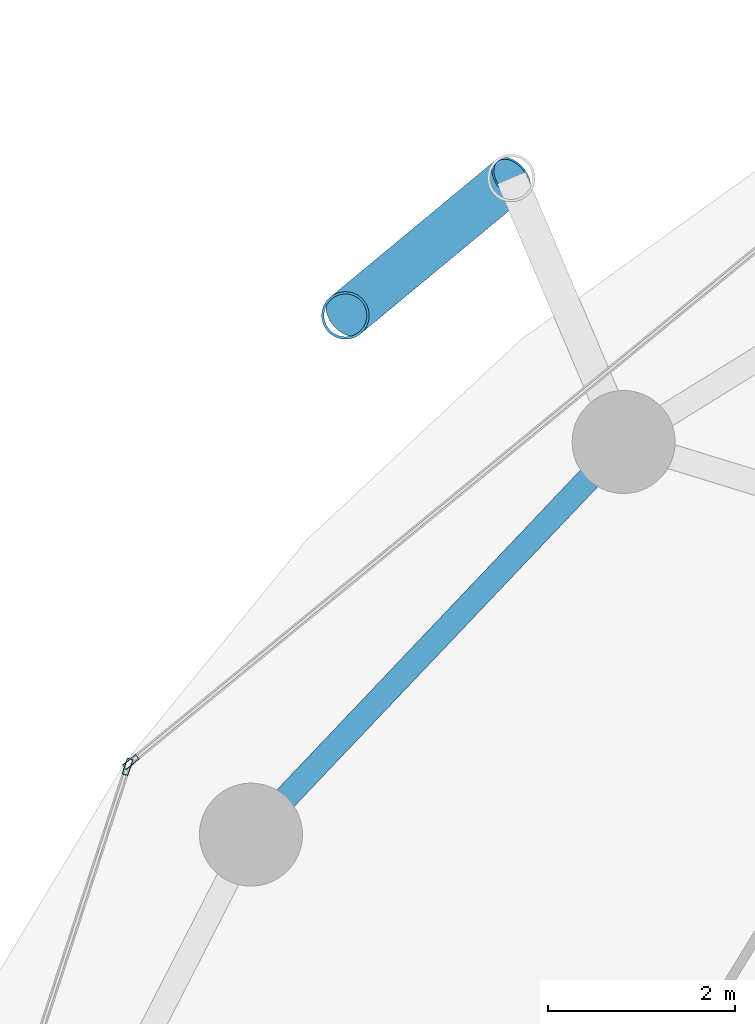
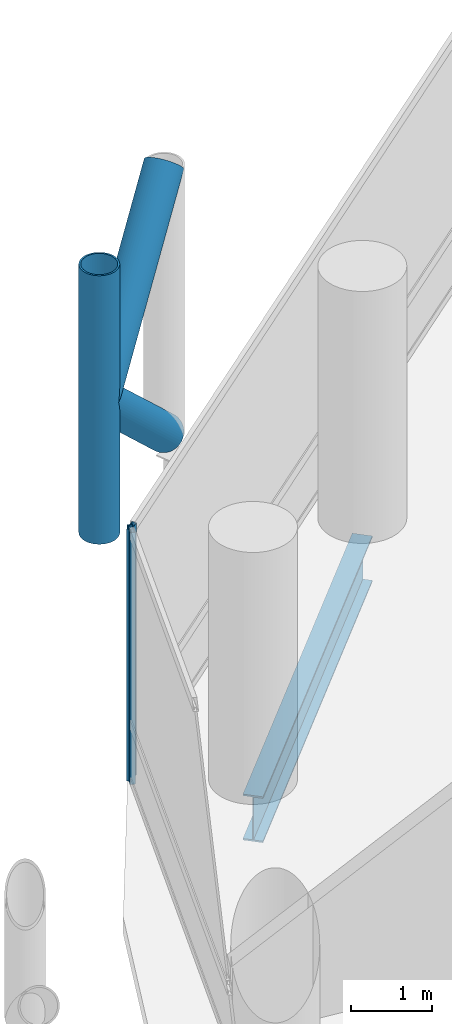
# One storey, part 13 of 25: 5 members, 1 beam, 2 elements without a shape of their own.
"""IFC4 building model written with IfcOpenShell, lengths in metres."""

from ifc_helpers import new_model, si_unit, direction, frame, origin, origin_2d, place, context, subcontext, project, spatial, hollow_rectangle, hollow_circle, i_section, extrude, material, layer, layer_set, material_profile, profile_set, type_object, element, aggregate, save


model = new_model("IFC4")

# Units and contexts
model_context = context("Model", 3, precision=1e-05, world=origin(), true_north=direction((0.0, 1.0)))
body_context = subcontext(model_context, "Body", "Model", "MODEL_VIEW")
ifc_project = project(units=[si_unit("LENGTHUNIT", "METRE"), si_unit("AREAUNIT", "SQUARE_METRE"), si_unit("VOLUMEUNIT", "CUBIC_METRE"), si_unit("PLANEANGLEUNIT", "RADIAN"), si_unit("MASSUNIT", "GRAM", prefix="KILO")], contexts=[model_context])

# Site, building, storey
site_placement = place(None, origin())
site = spatial("IfcSite", under=ifc_project, at=site_placement, CompositionType="ELEMENT")
building_placement = place(site_placement, origin())
building = spatial("IfcBuilding", under=site, at=building_placement, Name="Nuhasar Tower", CompositionType="ELEMENT")
storey_placement = place(building_placement, frame((0.0, 0.0, 65.550048828125)))
storey = spatial("IfcBuildingStorey", under=building, at=storey_placement, Name="L15", CompositionType="ELEMENT", Elevation=65.550048828125)

# Beam
ifc_material_1 = material(Name="Steel S355", Category="steel")
ifc_material_profile_1 = material_profile(ifc_material_1, i_section(OverallWidth=0.256103515625, OverallDepth=0.693115234375, WebThickness=0.014404296875, FlangeThickness=0.023681640625, at=origin_2d()), Name="W27X114")
ifc_profile_set_1 = profile_set([ifc_material_profile_1], Name="Steel S355")
beam_type = type_object("IfcBeamType", Name="BM-RING-W27X114", PredefinedType="SPANDREL", material=ifc_profile_set_1)
beam_placement = place(storey_placement, frame((21.287109375, 41.118896484375, -0.59716796875), z_axis=(-0.688480893507, -0.725254478976, 0.0), x_axis=(0.725254478976, -0.688480893507, 0.0)))
element("IfcBeam", 1, at=beam_placement, inside=storey, type_object=beam_type, Name="L15 Perimeter Ring Spandrel 10", PredefinedType="SPANDREL", context=body_context, shape_type="SweptSolid", body=[
    extrude(i_section(OverallWidth=0.256103515625, OverallDepth=0.693115234375, WebThickness=0.014404296875, FlangeThickness=0.023681640625, at=origin_2d()), origin(), (0.0, 0.0, 1.0), 5.782470703125),
])

# Curtain wall, member
ifc_material_2 = material(Name="Aluminium 6063-T6", Category="aluminium")
ifc_layer = layer(ifc_material_2, 0.199951171875)
ifc_layer_set = layer_set([ifc_layer], Name="Aluminium 6063-T6")
curtain_wall_type = type_object("IfcCurtainWallType", Name="CW-Z1-OFF", PredefinedType="NOTDEFINED", material=ifc_layer_set)
curtain_wall_1_placement = place(storey_placement, origin())
curtain_wall_1 = element("IfcCurtainWall", 2, at=curtain_wall_1_placement, inside=storey, type_object=curtain_wall_type, Name="L15 Unitised Curtain Wall 05", PredefinedType="NOTDEFINED")
ifc_material_profile_2 = material_profile(ifc_material_2, hollow_rectangle(XDim=0.06494140625, YDim=0.179931640625, WallThickness=0.0048828125, at=origin_2d()), Name="CWM-2")
ifc_profile_set_2 = profile_set([ifc_material_profile_2], Name="Aluminium 6063-T6")
member_type_1 = type_object("IfcMemberType", Name="CW-MUL-S2", PredefinedType="MULLION", material=ifc_profile_set_2)
member_1_placement = place(storey_placement, frame((16.023193359375, 37.70068359375, 0.0), z_axis=(0.0, 0.0, 1.0), x_axis=(0.633744593376, -0.773542364946, 0.0)))
member_1 = element("IfcMember", 3, at=member_1_placement, type_object=member_type_1, Name="CW-Z1 mullion 2", PredefinedType="MULLION", context=body_context, shape_type="SweptSolid", body=[
    extrude(hollow_rectangle(XDim=0.06494140625, YDim=0.179931640625, WallThickness=0.0048828125, at=origin_2d()), origin(), (0.0, 0.0, 1.0), 3.800048828125),
])
aggregate(curtain_wall_1, [member_1])

curtain_wall_2_placement = place(storey_placement, origin())
curtain_wall_2 = element("IfcCurtainWall", 4, at=curtain_wall_2_placement, inside=storey, type_object=curtain_wall_type, Name="L15 Unitised Curtain Wall 06", PredefinedType="NOTDEFINED")
member_2_placement = place(storey_placement, frame((15.98779296875, 37.649169921875, 0.0), z_axis=(0.0, 0.0, 1.0), x_axis=(0.950467534571, -0.310823849997, 0.0)))
member_2 = element("IfcMember", 5, at=member_2_placement, type_object=member_type_1, Name="CW-Z1 mullion 1", PredefinedType="MULLION", context=body_context, shape_type="SweptSolid", body=[
    extrude(hollow_rectangle(XDim=0.06494140625, YDim=0.179931640625, WallThickness=0.0048828125, at=origin_2d()), origin(), (0.0, 0.0, 1.0), 3.800048828125),
])
aggregate(curtain_wall_2, [member_2])

# Members
ifc_material_3 = material(Name="Steel S460", Category="steel")
ifc_material_profile_3 = material_profile(ifc_material_3, hollow_circle(Radius=0.25390625, WallThickness=0.025390625, at=origin_2d()), Name="HSS508X25.4")
ifc_profile_set_3 = profile_set([ifc_material_profile_3], Name="Steel S460")
member_type_2 = type_object("IfcMemberType", Name="EXO-BRONZE-508", PredefinedType="BRACE", material=ifc_profile_set_3)
member_3_placement = place(storey_placement, frame((18.31494140625, 42.470947265625, 0.0), z_axis=(0.0, 0.0, 1.0), x_axis=(1.0, 0.0, 0.0)))
element("IfcMember", 6, at=member_3_placement, inside=storey, type_object=member_type_2, Name="L15 Exoskeleton Chord Column EC-05B", PredefinedType="BRACE", context=body_context, shape_type="SweptSolid", body=[
    extrude(hollow_circle(Radius=0.25390625, WallThickness=0.025390625, at=origin_2d()), origin(), (0.0, 0.0, 1.0), 4.050048828125),
])
member_4_placement = place(storey_placement, frame((20.0869140625, 43.93896484375, 0.0), z_axis=(-0.578101613167, -0.478937034992, 0.660619286251), x_axis=(0.637969333506, -0.770061769929, 0.0)))
element("IfcMember", 7, at=member_4_placement, inside=storey, type_object=member_type_2, Name="L15 Bronze Diagrid Brace W1-05", PredefinedType="BRACE", context=body_context, shape_type="SweptSolid", body=[
    extrude(hollow_circle(Radius=0.25390625, WallThickness=0.025390625, at=origin_2d()), origin(), (0.0, 0.0, 1.0), 3.065185546875),
])
member_5_placement = place(storey_placement, frame((18.31494140625, 42.470947265625, 2.02490234375), z_axis=(0.578071194894, 0.478911834514, 0.660664172175), x_axis=(-0.637969333506, 0.770061769929, 0.0)))
element("IfcMember", 8, at=member_5_placement, inside=storey, type_object=member_type_2, Name="L15 Bronze Diagrid Brace W2-05", PredefinedType="BRACE", context=body_context, shape_type="SweptSolid", body=[
    extrude(hollow_circle(Radius=0.25390625, WallThickness=0.025390625, at=origin_2d()), origin(), (0.0, 0.0, 1.0), 3.0654296875),
])

save(model, "model.ifc")
